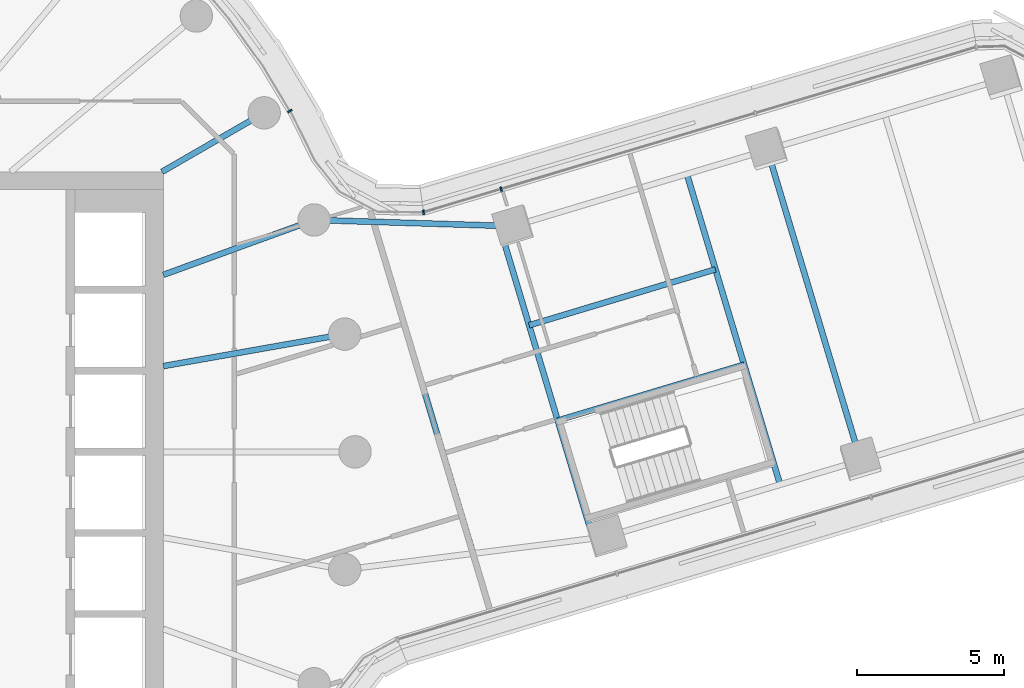
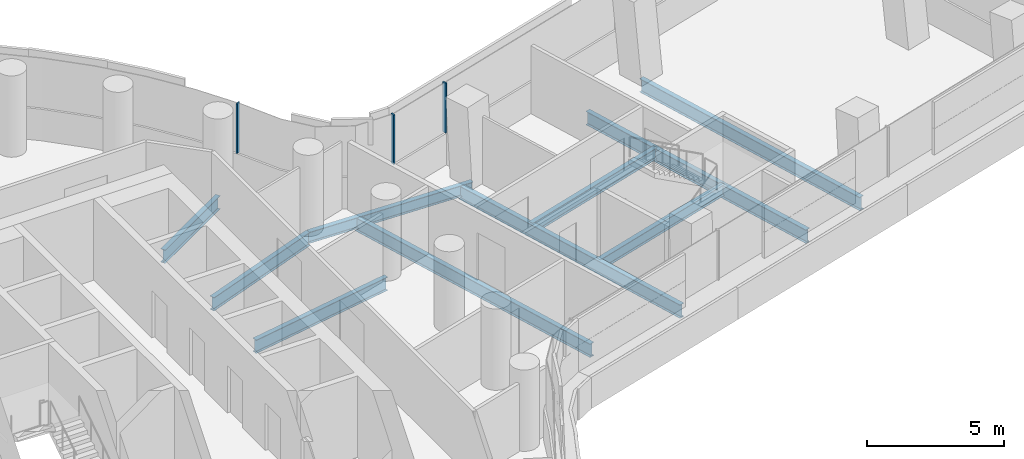
# One storey, part 11 of 32: 10 beams, 3 members, 2 elements without a shape of their own.
"""IFC4 building model written with IfcOpenShell, lengths in metres."""

from ifc_helpers import new_model, si_unit, direction, frame, origin, origin_2d, place, context, subcontext, project, spatial, rectangle, i_section, extrude, material, layer, layer_set, material_profile, profile_set, type_object, element, aggregate, save


model = new_model("IFC4")

# Units and contexts
model_context = context("Model", 3, precision=1e-05, world=origin(), true_north=direction((0.0, 1.0)))
body_context = subcontext(model_context, "Body", "Model", "MODEL_VIEW")
ifc_project = project(units=[si_unit("LENGTHUNIT", "METRE"), si_unit("AREAUNIT", "SQUARE_METRE"), si_unit("VOLUMEUNIT", "CUBIC_METRE"), si_unit("PLANEANGLEUNIT", "RADIAN"), si_unit("MASSUNIT", "GRAM", prefix="KILO")], contexts=[model_context])

# Site, building, storey
site_placement = place(None, origin())
site = spatial("IfcSite", under=ifc_project, at=site_placement, CompositionType="ELEMENT")
building_placement = place(site_placement, origin())
building = spatial("IfcBuilding", under=site, at=building_placement, Name="Tamarind Cross Interchange Tower", CompositionType="ELEMENT")
storey_placement = place(building_placement, frame((0.0, 0.0, 94.75)))
storey = spatial("IfcBuildingStorey", under=building, at=storey_placement, Name="L22", CompositionType="ELEMENT", Elevation=94.75)

# Beams
ifc_material_1 = material(Name="Steel Q355B", Category="steel")
ifc_material_profile_1 = material_profile(ifc_material_1, i_section(OverallWidth=0.198974609375, OverallDepth=0.49609375, WebThickness=0.009033203125, FlangeThickness=0.013916015625, FilletRadius=0.012939453125, at=origin_2d()), Name="HN 496x199x9x14")
ifc_profile_set_1 = profile_set([ifc_material_profile_1], Name="Steel Q355B")
beam_type_1 = type_object("IfcBeamType", Name="Composite beam HN 496x199x9x14 Q355B", PredefinedType="BEAM", material=ifc_profile_set_1)
beam_1_placement = place(storey_placement, frame((28.3671875, 7.655029296875, -0.387939453125), z_axis=(-0.999510418032, 0.031287765119, 0.0), x_axis=(-0.031287765119, -0.999510418032, 0.0)))
element("IfcBeam", 1, at=beam_1_placement, inside=storey, type_object=beam_type_1, Name="Beam E-linkep", PredefinedType="BEAM", context=body_context, shape_type="SweptSolid", body=[
    extrude(i_section(OverallWidth=0.198974609375, OverallDepth=0.49609375, WebThickness=0.009033203125, FlangeThickness=0.013916015625, FilletRadius=0.012939453125, at=origin_2d()), origin(), (0.0, 0.0, 1.0), 6.757568359375),
])
beam_2_placement = place(storey_placement, frame((29.877685546875, 1.060791015625, -0.387939453125), z_axis=(0.957740725027, 0.287632932095, 0.0), x_axis=(-0.287632932095, 0.957740725027, 0.0)))
element("IfcBeam", 2, at=beam_2_placement, inside=storey, type_object=beam_type_1, Name="Beam E-tr1", PredefinedType="BEAM", context=body_context, shape_type="SweptSolid", body=[
    extrude(i_section(OverallWidth=0.198974609375, OverallDepth=0.49609375, WebThickness=0.009033203125, FlangeThickness=0.013916015625, FilletRadius=0.012939453125, at=origin_2d()), origin(), (0.0, 0.0, 1.0), 6.60009765625),
])
beam_3_placement = place(storey_placement, frame((28.906982421875, 4.293212890625, -0.387939453125), z_axis=(0.957737664595, 0.287643122316, 0.0), x_axis=(-0.287643122316, 0.957737664595, 0.0)))
element("IfcBeam", 3, at=beam_3_placement, inside=storey, type_object=beam_type_1, Name="Beam E-stripp", PredefinedType="BEAM", context=body_context, shape_type="SweptSolid", body=[
    extrude(i_section(OverallWidth=0.198974609375, OverallDepth=0.49609375, WebThickness=0.009033203125, FlangeThickness=0.013916015625, FilletRadius=0.012939453125, at=origin_2d()), origin(), (0.0, 0.0, 1.0), 6.599853515625),
])
ifc_material_profile_2 = material_profile(ifc_material_1, i_section(OverallWidth=0.198974609375, OverallDepth=0.595947265625, WebThickness=0.010009765625, FlangeThickness=0.014892578125, FilletRadius=0.012939453125, at=origin_2d()), Name="HN 596x199x10x15")
ifc_profile_set_2 = profile_set([ifc_material_profile_2], Name="Steel Q355B")
beam_type_2 = type_object("IfcBeamType", Name="Composite beam HN 596x199x10x15 Q355B", PredefinedType="BEAM", material=ifc_profile_set_2)
beam_4_placement = place(storey_placement, frame((22.650634765625, 3.993896484375, -0.43798828125), z_axis=(-0.984809127561, -0.173640382036, 0.0), x_axis=(0.173640382036, -0.984809127561, 0.0)))
element("IfcBeam", 4, at=beam_4_placement, inside=storey, type_object=beam_type_2, Name="Beam HH01", PredefinedType="BEAM", context=body_context, shape_type="SweptSolid", body=[
    extrude(i_section(OverallWidth=0.198974609375, OverallDepth=0.595947265625, WebThickness=0.010009765625, FlangeThickness=0.014892578125, FilletRadius=0.012939453125, at=origin_2d()), origin(), (0.0, 0.0, 1.0), 6.24560546875),
])
beam_5_placement = place(storey_placement, frame((21.613037109375, 7.866455078125, -0.43798828125), z_axis=(-0.939701685589, -0.341995236956, 0.0), x_axis=(0.341995236956, -0.939701685589, 0.0)))
element("IfcBeam", 5, at=beam_5_placement, inside=storey, type_object=beam_type_2, Name="Beam HH02", PredefinedType="BEAM", context=body_context, shape_type="SweptSolid", body=[
    extrude(i_section(OverallWidth=0.198974609375, OverallDepth=0.595947265625, WebThickness=0.010009765625, FlangeThickness=0.014892578125, FilletRadius=0.012939453125, at=origin_2d()), origin(), (0.0, 0.0, 1.0), 5.441162109375),
])
beam_6_placement = place(storey_placement, frame((19.918701171875, 11.5, -0.43798828125), z_axis=(-0.866026010844, -0.49999894854, 0.0), x_axis=(0.49999894854, -0.866026010844, 0.0)))
element("IfcBeam", 6, at=beam_6_placement, inside=storey, type_object=beam_type_2, Name="Beam HH03", PredefinedType="BEAM", context=body_context, shape_type="SweptSolid", body=[
    extrude(i_section(OverallWidth=0.198974609375, OverallDepth=0.595947265625, WebThickness=0.010009765625, FlangeThickness=0.014892578125, FilletRadius=0.012939453125, at=origin_2d()), origin(), (0.0, 0.0, 1.0), 4.0),
])
ifc_material_profile_3 = material_profile(ifc_material_1, i_section(OverallWidth=0.199951171875, OverallDepth=0.60009765625, WebThickness=0.010986328125, FlangeThickness=0.01708984375, FilletRadius=0.012939453125, at=origin_2d()), Name="HN 600x200x11x17")
ifc_profile_set_3 = profile_set([ifc_material_profile_3], Name="Steel Q355B")
beam_type_3 = type_object("IfcBeamType", Name="Composite beam HN 600x200x11x17 Q355B", PredefinedType="BEAM", material=ifc_profile_set_3)
beam_7_placement = place(storey_placement, frame((31.078369140625, -2.93701171875, -0.43994140625), z_axis=(-0.287635056303, 0.957740087073, 0.0), x_axis=(-0.957740087073, -0.287635056303, 0.0)))
element("IfcBeam", 7, at=beam_7_placement, inside=storey, type_object=beam_type_3, Name="Beam E-x298", PredefinedType="BEAM", context=body_context, shape_type="SweptSolid", body=[
    extrude(i_section(OverallWidth=0.199951171875, OverallDepth=0.60009765625, WebThickness=0.010986328125, FlangeThickness=0.01708984375, FilletRadius=0.012939453125, at=origin_2d()), origin(), (0.0, 0.0, 1.0), 11.074951171875),
])
beam_8_placement = place(storey_placement, frame((37.42138671875, -1.111083984375, -0.43994140625), z_axis=(-0.287641084217, 0.957738276707, 0.0), x_axis=(-0.957738276707, -0.287641084217, 0.0)))
element("IfcBeam", 8, at=beam_8_placement, inside=storey, type_object=beam_type_3, Name="Beam E-x364", PredefinedType="BEAM", context=body_context, shape_type="SweptSolid", body=[
    extrude(i_section(OverallWidth=0.199951171875, OverallDepth=0.60009765625, WebThickness=0.010986328125, FlangeThickness=0.01708984375, FilletRadius=0.012939453125, at=origin_2d()), origin(), (0.0, 0.0, 1.0), 11.0),
])
beam_9_placement = place(storey_placement, frame((40.15087890625, -0.291259765625, -0.43994140625), z_axis=(-0.287647198598, 0.957736440331, 0.0), x_axis=(-0.957736440331, -0.287647198598, 0.0)))
element("IfcBeam", 9, at=beam_9_placement, inside=storey, type_object=beam_type_3, Name="Beam E-x393", PredefinedType="BEAM", context=body_context, shape_type="SweptSolid", body=[
    extrude(i_section(OverallWidth=0.199951171875, OverallDepth=0.60009765625, WebThickness=0.010986328125, FlangeThickness=0.01708984375, FilletRadius=0.012939453125, at=origin_2d()), origin(), (0.0, 0.0, 1.0), 10.999755859375),
])
beam_10_placement = place(storey_placement, frame((27.003173828125, -3.447998046875, -0.43994140625), z_axis=(-0.287637670414, 0.957739301981, 0.0), x_axis=(-0.957739301981, -0.287637670414, 0.0)))
element("IfcBeam", 10, at=beam_10_placement, inside=storey, type_object=beam_type_3, Name="Beam E-x258", PredefinedType="BEAM", context=body_context, shape_type="SweptSolid", body=[
    extrude(i_section(OverallWidth=0.199951171875, OverallDepth=0.60009765625, WebThickness=0.010986328125, FlangeThickness=0.01708984375, FilletRadius=0.012939453125, at=origin_2d()), origin(), (0.0, 0.0, 1.0), 11.748046875),
])

# Curtain wall, member
ifc_material_2 = material(Name="Aluminium 6063-T6", Category="aluminium")
ifc_layer = layer(ifc_material_2, 0.159912109375)
ifc_layer_set = layer_set([ifc_layer], Name="Aluminium 6063-T6")
curtain_wall_type = type_object("IfcCurtainWallType", Name="Office curtain wall, 9.0 m bays", PredefinedType="NOTDEFINED", material=ifc_layer_set)
curtain_wall_1_placement = place(storey_placement, origin())
curtain_wall_1 = element("IfcCurtainWall", 11, at=curtain_wall_1_placement, inside=storey, type_object=curtain_wall_type, Name="CWS-L22-13", PredefinedType="NOTDEFINED")
ifc_material_profile_4 = material_profile(ifc_material_2, rectangle(XDim=0.06005859375, YDim=0.159912109375, at=origin_2d()), Name="Mullion CW1")
ifc_profile_set_4 = profile_set([ifc_material_profile_4], Name="Aluminium 6063-T6")
member_type = type_object("IfcMemberType", Name="Mullion CW1", PredefinedType="MULLION", material=ifc_profile_set_4)
member_1_placement = place(storey_placement, frame((27.957275390625, 8.913818359375, 1.39990234375), z_axis=(0.0, 0.0, 1.0), x_axis=(-0.958138695884, -0.286304452373, 0.0)))
member_1 = element("IfcMember", 12, at=member_1_placement, type_object=member_type, Name="CWM-L22-13-02", PredefinedType="MULLION", context=body_context, shape_type="SweptSolid", body=[
    extrude(rectangle(XDim=0.06005859375, YDim=0.159912109375, at=origin_2d()), origin(), (0.0, 0.0, 1.0), 2.210205078125),
])
aggregate(curtain_wall_1, [member_1])

# Curtain wall, members
curtain_wall_2_placement = place(storey_placement, origin())
curtain_wall_2 = element("IfcCurtainWall", 13, at=curtain_wall_2_placement, inside=storey, type_object=curtain_wall_type, Name="CWS-L22-14", PredefinedType="NOTDEFINED")
member_2_placement = place(storey_placement, frame((25.3251953125, 8.12744140625, 1.39990234375), z_axis=(0.0, 0.0, 1.0), x_axis=(-0.990496214225, -0.137539992752, 0.0)))
member_2 = element("IfcMember", 14, at=member_2_placement, type_object=member_type, Name="CWM-L22-14-00", PredefinedType="MULLION", context=body_context, shape_type="SweptSolid", body=[
    extrude(rectangle(XDim=0.06005859375, YDim=0.159912109375, at=origin_2d()), origin(), (0.0, 0.0, 1.0), 2.210205078125),
])
member_3_placement = place(storey_placement, frame((20.790771484375, 11.561767578125, 1.39990234375), z_axis=(0.0, 0.0, 1.0), x_axis=(-0.515577308909, 0.856843065292, 0.0)))
member_3 = element("IfcMember", 15, at=member_3_placement, type_object=member_type, Name="CWM-L22-14-01", PredefinedType="MULLION", context=body_context, shape_type="SweptSolid", body=[
    extrude(rectangle(XDim=0.06005859375, YDim=0.159912109375, at=origin_2d()), origin(), (0.0, 0.0, 1.0), 2.210205078125),
])
aggregate(curtain_wall_2, [member_2, member_3])

save(model, "model.ifc")
